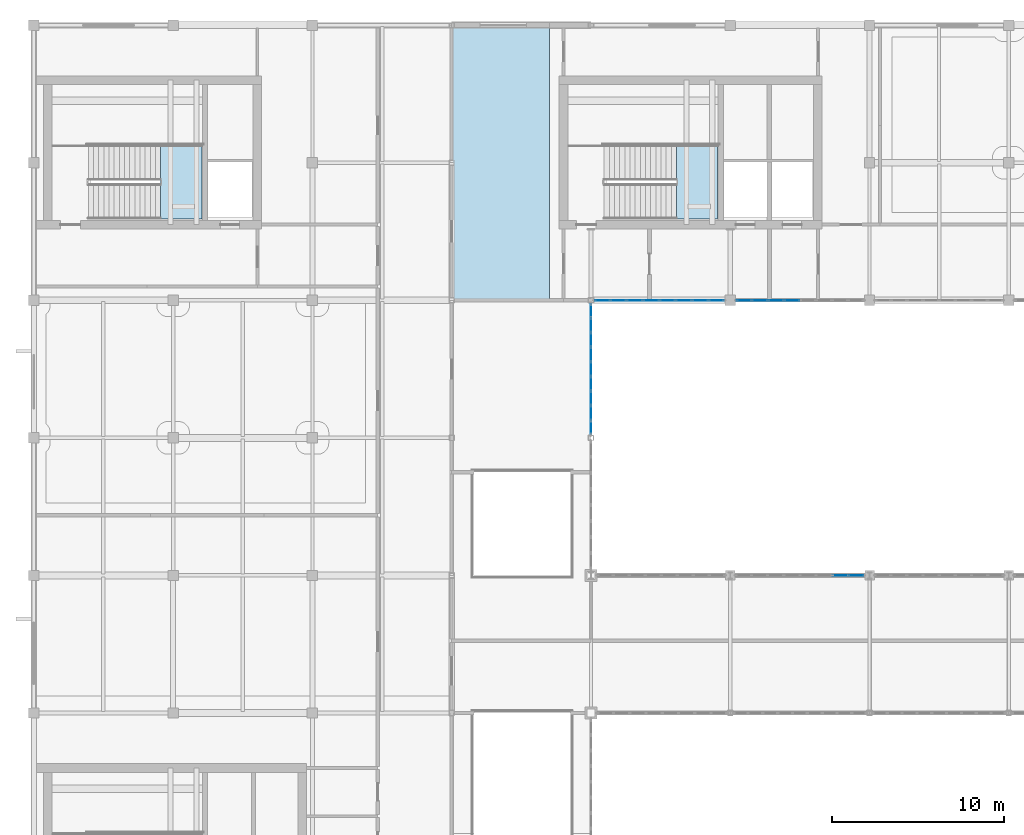
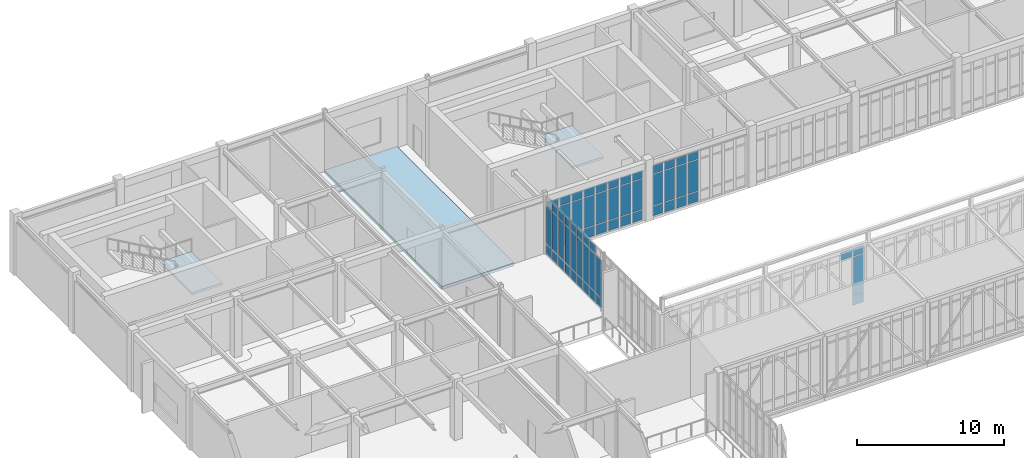
# One storey, part 74 of 107: 65 plates, 3 slabs, 6 elements without a shape of their own.
"""IFC4 building model written with IfcOpenShell, lengths in metres."""

from ifc_helpers import new_model, si_unit, direction, frame, origin, origin_2d, place, context, subcontext, project, spatial, polyline, rectangle, outline, extrude, material, layer, layer_set, type_object, element, aggregate, save


model = new_model("IFC4")

# Units and contexts
model_context = context("Model", 3, precision=1e-05, world=origin(), true_north=direction((0.0, 1.0)))
body_context = subcontext(model_context, "Body", "Model", "MODEL_VIEW")
ifc_project = project(units=[si_unit("LENGTHUNIT", "METRE"), si_unit("AREAUNIT", "SQUARE_METRE"), si_unit("VOLUMEUNIT", "CUBIC_METRE"), si_unit("PLANEANGLEUNIT", "RADIAN"), si_unit("MASSUNIT", "GRAM", prefix="KILO")], contexts=[model_context])

# Site, building, storey
site_placement = place(None, origin())
site = spatial("IfcSite", under=ifc_project, at=site_placement, CompositionType="ELEMENT")
building_placement = place(site_placement, origin())
building = spatial("IfcBuilding", under=site, at=building_placement, Name="Tarnveldt Square Police Headquarters", CompositionType="ELEMENT")
storey_placement = place(building_placement, frame((0.0, 0.0, 14.699951171875)))
storey = spatial("IfcBuildingStorey", under=building, at=storey_placement, Name="L03", CompositionType="ELEMENT", Elevation=14.699951171875)

# Curtain wall, plates
ifc_material_1 = material(Name="Triple-glazed low-e laminated vision glass", Category="glass")
curtain_wall_type_1 = type_object("IfcCurtainWallType", Name="CW-WG-767x484", PredefinedType="USERDEFINED", material=ifc_material_1)
curtain_wall_1_placement = place(storey_placement, origin())
curtain_wall_1 = element("IfcCurtainWall", 1, at=curtain_wall_1_placement, inside=storey, type_object=curtain_wall_type_1, Name="L03 Curtain Wall CW-L03-082", ObjectType="GLAZED CURTAIN WALL", PredefinedType="USERDEFINED")
ifc_layer_1 = layer(ifc_material_1, 0.028076171875)
ifc_layer_set_1 = layer_set([ifc_layer_1], Name="Triple-glazed low-e laminated vision glass")
plate_type = type_object("IfcPlateType", Name="CWP-VIS-28", PredefinedType="CURTAIN_PANEL", material=ifc_layer_set_1)
plate_1_placement = place(storey_placement, frame((48.60009765625, 88.612060546875, 0.074951171875), z_axis=(0.0, 0.0, 1.0), x_axis=(0.0, 1.0, 0.0)))
plate_1 = element("IfcPlate", 2, at=plate_1_placement, type_object=plate_type, Name="CW-WG40 panel 1.1", PredefinedType="CURTAIN_PANEL", context=body_context, shape_type="SweptSolid", body=[
    extrude(rectangle(XDim=0.7392578125, YDim=0.028076171875, at=origin_2d()), origin(), (0.0, 0.0, 1.0), 0.78759765625),
])
plate_2_placement = place(storey_placement, frame((48.60009765625, 88.612060546875, 0.9375), z_axis=(0.0, 0.0, 1.0), x_axis=(0.0, 1.0, 0.0)))
plate_2 = element("IfcPlate", 3, at=plate_2_placement, type_object=plate_type, Name="CW-WG40 panel 1.2", PredefinedType="CURTAIN_PANEL", context=body_context, shape_type="SweptSolid", body=[
    extrude(rectangle(XDim=0.7392578125, YDim=0.028076171875, at=origin_2d()), origin(), (0.0, 0.0, 1.0), 3.114990234375),
])
plate_3_placement = place(storey_placement, frame((48.60009765625, 89.44482421875, 0.074951171875), z_axis=(0.0, 0.0, 1.0), x_axis=(0.0, 1.0, 0.0)))
plate_3 = element("IfcPlate", 4, at=plate_3_placement, type_object=plate_type, Name="CW-WG40 panel 2.1", PredefinedType="CURTAIN_PANEL", context=body_context, shape_type="SweptSolid", body=[
    extrude(rectangle(XDim=0.776611328125, YDim=0.028076171875, at=origin_2d()), origin(), (0.0, 0.0, 1.0), 0.78759765625),
])
plate_4_placement = place(storey_placement, frame((48.60009765625, 89.44482421875, 0.9375), z_axis=(0.0, 0.0, 1.0), x_axis=(0.0, 1.0, 0.0)))
plate_4 = element("IfcPlate", 5, at=plate_4_placement, type_object=plate_type, Name="CW-WG40 panel 2.2", PredefinedType="CURTAIN_PANEL", context=body_context, shape_type="SweptSolid", body=[
    extrude(rectangle(XDim=0.776611328125, YDim=0.028076171875, at=origin_2d()), origin(), (0.0, 0.0, 1.0), 3.114990234375),
])
plate_5_placement = place(storey_placement, frame((48.60009765625, 89.44482421875, 4.12744140625), z_axis=(0.0, 0.0, 1.0), x_axis=(0.0, 1.0, 0.0)))
plate_5 = element("IfcPlate", 6, at=plate_5_placement, type_object=plate_type, Name="CW-WG40 panel 2.3", PredefinedType="CURTAIN_PANEL", context=body_context, shape_type="SweptSolid", body=[
    extrude(rectangle(XDim=0.776611328125, YDim=0.028076171875, at=origin_2d()), origin(), (0.0, 0.0, 1.0), 0.637451171875),
])
plate_6_placement = place(storey_placement, frame((48.60009765625, 90.296630859375, 0.074951171875), z_axis=(0.0, 0.0, 1.0), x_axis=(0.0, 1.0, 0.0)))
plate_6 = element("IfcPlate", 7, at=plate_6_placement, type_object=plate_type, Name="CW-WG40 panel 3.1", PredefinedType="CURTAIN_PANEL", context=body_context, shape_type="SweptSolid", body=[
    extrude(rectangle(XDim=0.776611328125, YDim=0.028076171875, at=origin_2d()), origin(), (0.0, 0.0, 1.0), 0.78759765625),
])
plate_7_placement = place(storey_placement, frame((48.60009765625, 90.296630859375, 0.9375), z_axis=(0.0, 0.0, 1.0), x_axis=(0.0, 1.0, 0.0)))
plate_7 = element("IfcPlate", 8, at=plate_7_placement, type_object=plate_type, Name="CW-WG40 panel 3.2", PredefinedType="CURTAIN_PANEL", context=body_context, shape_type="SweptSolid", body=[
    extrude(rectangle(XDim=0.776611328125, YDim=0.028076171875, at=origin_2d()), origin(), (0.0, 0.0, 1.0), 3.114990234375),
])
plate_8_placement = place(storey_placement, frame((48.60009765625, 90.296630859375, 4.12744140625), z_axis=(0.0, 0.0, 1.0), x_axis=(0.0, 1.0, 0.0)))
plate_8 = element("IfcPlate", 9, at=plate_8_placement, type_object=plate_type, Name="CW-WG40 panel 3.3", PredefinedType="CURTAIN_PANEL", context=body_context, shape_type="SweptSolid", body=[
    extrude(rectangle(XDim=0.776611328125, YDim=0.028076171875, at=origin_2d()), origin(), (0.0, 0.0, 1.0), 0.637451171875),
])
plate_9_placement = place(storey_placement, frame((48.60009765625, 91.148193359375, 0.074951171875), z_axis=(0.0, 0.0, 1.0), x_axis=(0.0, 1.0, 0.0)))
plate_9 = element("IfcPlate", 10, at=plate_9_placement, type_object=plate_type, Name="CW-WG40 panel 4.1", PredefinedType="CURTAIN_PANEL", context=body_context, shape_type="SweptSolid", body=[
    extrude(rectangle(XDim=0.776611328125, YDim=0.028076171875, at=origin_2d()), origin(), (0.0, 0.0, 1.0), 0.78759765625),
])
plate_10_placement = place(storey_placement, frame((48.60009765625, 91.148193359375, 0.9375), z_axis=(0.0, 0.0, 1.0), x_axis=(0.0, 1.0, 0.0)))
plate_10 = element("IfcPlate", 11, at=plate_10_placement, type_object=plate_type, Name="CW-WG40 panel 4.2", PredefinedType="CURTAIN_PANEL", context=body_context, shape_type="SweptSolid", body=[
    extrude(rectangle(XDim=0.776611328125, YDim=0.028076171875, at=origin_2d()), origin(), (0.0, 0.0, 1.0), 3.114990234375),
])
plate_11_placement = place(storey_placement, frame((48.60009765625, 91.148193359375, 4.12744140625), z_axis=(0.0, 0.0, 1.0), x_axis=(0.0, 1.0, 0.0)))
plate_11 = element("IfcPlate", 12, at=plate_11_placement, type_object=plate_type, Name="CW-WG40 panel 4.3", PredefinedType="CURTAIN_PANEL", context=body_context, shape_type="SweptSolid", body=[
    extrude(rectangle(XDim=0.776611328125, YDim=0.028076171875, at=origin_2d()), origin(), (0.0, 0.0, 1.0), 0.637451171875),
])
plate_12_placement = place(storey_placement, frame((48.60009765625, 92.0, 0.074951171875), z_axis=(0.0, 0.0, 1.0), x_axis=(0.0, 1.0, 0.0)))
plate_12 = element("IfcPlate", 13, at=plate_12_placement, type_object=plate_type, Name="CW-WG40 panel 5.1", PredefinedType="CURTAIN_PANEL", context=body_context, shape_type="SweptSolid", body=[
    extrude(rectangle(XDim=0.776611328125, YDim=0.028076171875, at=origin_2d()), origin(), (0.0, 0.0, 1.0), 0.78759765625),
])
plate_13_placement = place(storey_placement, frame((48.60009765625, 92.0, 0.9375), z_axis=(0.0, 0.0, 1.0), x_axis=(0.0, 1.0, 0.0)))
plate_13 = element("IfcPlate", 14, at=plate_13_placement, type_object=plate_type, Name="CW-WG40 panel 5.2", PredefinedType="CURTAIN_PANEL", context=body_context, shape_type="SweptSolid", body=[
    extrude(rectangle(XDim=0.776611328125, YDim=0.028076171875, at=origin_2d()), origin(), (0.0, 0.0, 1.0), 3.114990234375),
])
plate_14_placement = place(storey_placement, frame((48.60009765625, 92.0, 4.12744140625), z_axis=(0.0, 0.0, 1.0), x_axis=(0.0, 1.0, 0.0)))
plate_14 = element("IfcPlate", 15, at=plate_14_placement, type_object=plate_type, Name="CW-WG40 panel 5.3", PredefinedType="CURTAIN_PANEL", context=body_context, shape_type="SweptSolid", body=[
    extrude(rectangle(XDim=0.776611328125, YDim=0.028076171875, at=origin_2d()), origin(), (0.0, 0.0, 1.0), 0.637451171875),
])
plate_15_placement = place(storey_placement, frame((48.60009765625, 92.851806640625, 0.074951171875), z_axis=(0.0, 0.0, 1.0), x_axis=(0.0, 1.0, 0.0)))
plate_15 = element("IfcPlate", 16, at=plate_15_placement, type_object=plate_type, Name="CW-WG40 panel 6.1", PredefinedType="CURTAIN_PANEL", context=body_context, shape_type="SweptSolid", body=[
    extrude(rectangle(XDim=0.776611328125, YDim=0.028076171875, at=origin_2d()), origin(), (0.0, 0.0, 1.0), 0.78759765625),
])
plate_16_placement = place(storey_placement, frame((48.60009765625, 92.851806640625, 0.9375), z_axis=(0.0, 0.0, 1.0), x_axis=(0.0, 1.0, 0.0)))
plate_16 = element("IfcPlate", 17, at=plate_16_placement, type_object=plate_type, Name="CW-WG40 panel 6.2", PredefinedType="CURTAIN_PANEL", context=body_context, shape_type="SweptSolid", body=[
    extrude(rectangle(XDim=0.776611328125, YDim=0.028076171875, at=origin_2d()), origin(), (0.0, 0.0, 1.0), 3.114990234375),
])
plate_17_placement = place(storey_placement, frame((48.60009765625, 92.851806640625, 4.12744140625), z_axis=(0.0, 0.0, 1.0), x_axis=(0.0, 1.0, 0.0)))
plate_17 = element("IfcPlate", 18, at=plate_17_placement, type_object=plate_type, Name="CW-WG40 panel 6.3", PredefinedType="CURTAIN_PANEL", context=body_context, shape_type="SweptSolid", body=[
    extrude(rectangle(XDim=0.776611328125, YDim=0.028076171875, at=origin_2d()), origin(), (0.0, 0.0, 1.0), 0.637451171875),
])
plate_18_placement = place(storey_placement, frame((48.60009765625, 93.703369140625, 0.074951171875), z_axis=(0.0, 0.0, 1.0), x_axis=(0.0, 1.0, 0.0)))
plate_18 = element("IfcPlate", 19, at=plate_18_placement, type_object=plate_type, Name="CW-WG40 panel 7.1", PredefinedType="CURTAIN_PANEL", context=body_context, shape_type="SweptSolid", body=[
    extrude(rectangle(XDim=0.776611328125, YDim=0.028076171875, at=origin_2d()), origin(), (0.0, 0.0, 1.0), 0.78759765625),
])
plate_19_placement = place(storey_placement, frame((48.60009765625, 93.703369140625, 0.9375), z_axis=(0.0, 0.0, 1.0), x_axis=(0.0, 1.0, 0.0)))
plate_19 = element("IfcPlate", 20, at=plate_19_placement, type_object=plate_type, Name="CW-WG40 panel 7.2", PredefinedType="CURTAIN_PANEL", context=body_context, shape_type="SweptSolid", body=[
    extrude(rectangle(XDim=0.776611328125, YDim=0.028076171875, at=origin_2d()), origin(), (0.0, 0.0, 1.0), 3.114990234375),
])
plate_20_placement = place(storey_placement, frame((48.60009765625, 93.703369140625, 4.12744140625), z_axis=(0.0, 0.0, 1.0), x_axis=(0.0, 1.0, 0.0)))
plate_20 = element("IfcPlate", 21, at=plate_20_placement, type_object=plate_type, Name="CW-WG40 panel 7.3", PredefinedType="CURTAIN_PANEL", context=body_context, shape_type="SweptSolid", body=[
    extrude(rectangle(XDim=0.776611328125, YDim=0.028076171875, at=origin_2d()), origin(), (0.0, 0.0, 1.0), 0.637451171875),
])
plate_21_placement = place(storey_placement, frame((48.60009765625, 94.55517578125, 0.074951171875), z_axis=(0.0, 0.0, 1.0), x_axis=(0.0, 1.0, 0.0)))
plate_21 = element("IfcPlate", 22, at=plate_21_placement, type_object=plate_type, Name="CW-WG40 panel 8.1", PredefinedType="CURTAIN_PANEL", context=body_context, shape_type="SweptSolid", body=[
    extrude(rectangle(XDim=0.776611328125, YDim=0.028076171875, at=origin_2d()), origin(), (0.0, 0.0, 1.0), 0.78759765625),
])
plate_22_placement = place(storey_placement, frame((48.60009765625, 94.55517578125, 0.9375), z_axis=(0.0, 0.0, 1.0), x_axis=(0.0, 1.0, 0.0)))
plate_22 = element("IfcPlate", 23, at=plate_22_placement, type_object=plate_type, Name="CW-WG40 panel 8.2", PredefinedType="CURTAIN_PANEL", context=body_context, shape_type="SweptSolid", body=[
    extrude(rectangle(XDim=0.776611328125, YDim=0.028076171875, at=origin_2d()), origin(), (0.0, 0.0, 1.0), 3.114990234375),
])
plate_23_placement = place(storey_placement, frame((48.60009765625, 94.55517578125, 4.12744140625), z_axis=(0.0, 0.0, 1.0), x_axis=(0.0, 1.0, 0.0)))
plate_23 = element("IfcPlate", 24, at=plate_23_placement, type_object=plate_type, Name="CW-WG40 panel 8.3", PredefinedType="CURTAIN_PANEL", context=body_context, shape_type="SweptSolid", body=[
    extrude(rectangle(XDim=0.776611328125, YDim=0.028076171875, at=origin_2d()), origin(), (0.0, 0.0, 1.0), 0.637451171875),
])
plate_24_placement = place(storey_placement, frame((48.60009765625, 95.387939453125, 0.074951171875), z_axis=(0.0, 0.0, 1.0), x_axis=(0.0, 1.0, 0.0)))
plate_24 = element("IfcPlate", 25, at=plate_24_placement, type_object=plate_type, Name="CW-WG40 panel 9.1", PredefinedType="CURTAIN_PANEL", context=body_context, shape_type="SweptSolid", body=[
    extrude(rectangle(XDim=0.7392578125, YDim=0.028076171875, at=origin_2d()), origin(), (0.0, 0.0, 1.0), 0.78759765625),
])
plate_25_placement = place(storey_placement, frame((48.60009765625, 95.387939453125, 0.9375), z_axis=(0.0, 0.0, 1.0), x_axis=(0.0, 1.0, 0.0)))
plate_25 = element("IfcPlate", 26, at=plate_25_placement, type_object=plate_type, Name="CW-WG40 panel 9.2", PredefinedType="CURTAIN_PANEL", context=body_context, shape_type="SweptSolid", body=[
    extrude(rectangle(XDim=0.7392578125, YDim=0.028076171875, at=origin_2d()), origin(), (0.0, 0.0, 1.0), 3.114990234375),
])
aggregate(curtain_wall_1, [plate_1, plate_2, plate_3, plate_4, plate_5, plate_6, plate_7, plate_8, plate_9, plate_10, plate_11, plate_12, plate_13, plate_14, plate_15, plate_16, plate_17, plate_18, plate_19, plate_20, plate_21, plate_22, plate_23, plate_24, plate_25])

curtain_wall_type_2 = type_object("IfcCurtainWallType", Name="CW-LB-762x423", PredefinedType="USERDEFINED", material=ifc_material_1)
curtain_wall_2_placement = place(storey_placement, origin())
curtain_wall_2 = element("IfcCurtainWall", 27, at=curtain_wall_2_placement, inside=storey, type_object=curtain_wall_type_2, Name="L03 Curtain Wall CW-L03-119", ObjectType="GLAZED CURTAIN WALL", PredefinedType="USERDEFINED")
plate_26_placement = place(storey_placement, frame((49.26220703125, 96.0, 0.06494140625), z_axis=(0.0, 0.0, 1.0), x_axis=(1.0, 0.0, 0.0)))
plate_26 = element("IfcPlate", 28, at=plate_26_placement, type_object=plate_type, Name="CW-LB70 panel 1.1", PredefinedType="CURTAIN_PANEL", context=body_context, shape_type="SweptSolid", body=[
    extrude(rectangle(XDim=0.839599609375, YDim=0.028076171875, at=origin_2d()), origin(), (0.0, 0.0, 1.0), 0.802490234375),
])
plate_27_placement = place(storey_placement, frame((49.26220703125, 96.0, 0.9326171875), z_axis=(0.0, 0.0, 1.0), x_axis=(1.0, 0.0, 0.0)))
plate_27 = element("IfcPlate", 29, at=plate_27_placement, type_object=plate_type, Name="CW-LB70 panel 1.2", PredefinedType="CURTAIN_PANEL", context=body_context, shape_type="SweptSolid", body=[
    extrude(rectangle(XDim=0.839599609375, YDim=0.028076171875, at=origin_2d()), origin(), (0.0, 0.0, 1.0), 2.51708984375),
])
plate_28_placement = place(storey_placement, frame((49.26220703125, 96.0, 3.5146484375), z_axis=(0.0, 0.0, 1.0), x_axis=(1.0, 0.0, 0.0)))
plate_28 = element("IfcPlate", 30, at=plate_28_placement, type_object=plate_type, Name="CW-LB70 panel 1.3", PredefinedType="CURTAIN_PANEL", context=body_context, shape_type="SweptSolid", body=[
    extrude(rectangle(XDim=0.839599609375, YDim=0.028076171875, at=origin_2d()), origin(), (0.0, 0.0, 1.0), 0.652587890625),
])
plate_29_placement = place(storey_placement, frame((50.19580078125, 96.0, 0.06494140625), z_axis=(0.0, 0.0, 1.0), x_axis=(1.0, 0.0, 0.0)))
plate_29 = element("IfcPlate", 31, at=plate_29_placement, type_object=plate_type, Name="CW-LB70 panel 2.1", PredefinedType="CURTAIN_PANEL", context=body_context, shape_type="SweptSolid", body=[
    extrude(rectangle(XDim=0.877197265625, YDim=0.028076171875, at=origin_2d()), origin(), (0.0, 0.0, 1.0), 0.802490234375),
])
plate_30_placement = place(storey_placement, frame((50.19580078125, 96.0, 0.9326171875), z_axis=(0.0, 0.0, 1.0), x_axis=(1.0, 0.0, 0.0)))
plate_30 = element("IfcPlate", 32, at=plate_30_placement, type_object=plate_type, Name="CW-LB70 panel 2.2", PredefinedType="CURTAIN_PANEL", context=body_context, shape_type="SweptSolid", body=[
    extrude(rectangle(XDim=0.877197265625, YDim=0.028076171875, at=origin_2d()), origin(), (0.0, 0.0, 1.0), 2.51708984375),
])
plate_31_placement = place(storey_placement, frame((50.19580078125, 96.0, 3.5146484375), z_axis=(0.0, 0.0, 1.0), x_axis=(1.0, 0.0, 0.0)))
plate_31 = element("IfcPlate", 33, at=plate_31_placement, type_object=plate_type, Name="CW-LB70 panel 2.3", PredefinedType="CURTAIN_PANEL", context=body_context, shape_type="SweptSolid", body=[
    extrude(rectangle(XDim=0.877197265625, YDim=0.028076171875, at=origin_2d()), origin(), (0.0, 0.0, 1.0), 0.652587890625),
])
plate_32_placement = place(storey_placement, frame((51.14794921875, 96.0, 0.06494140625), z_axis=(0.0, 0.0, 1.0), x_axis=(1.0, 0.0, 0.0)))
plate_32 = element("IfcPlate", 34, at=plate_32_placement, type_object=plate_type, Name="CW-LB70 panel 3.1", PredefinedType="CURTAIN_PANEL", context=body_context, shape_type="SweptSolid", body=[
    extrude(rectangle(XDim=0.877197265625, YDim=0.028076171875, at=origin_2d()), origin(), (0.0, 0.0, 1.0), 0.802490234375),
])
plate_33_placement = place(storey_placement, frame((51.14794921875, 96.0, 0.9326171875), z_axis=(0.0, 0.0, 1.0), x_axis=(1.0, 0.0, 0.0)))
plate_33 = element("IfcPlate", 35, at=plate_33_placement, type_object=plate_type, Name="CW-LB70 panel 3.2", PredefinedType="CURTAIN_PANEL", context=body_context, shape_type="SweptSolid", body=[
    extrude(rectangle(XDim=0.877197265625, YDim=0.028076171875, at=origin_2d()), origin(), (0.0, 0.0, 1.0), 2.51708984375),
])
plate_34_placement = place(storey_placement, frame((51.14794921875, 96.0, 3.5146484375), z_axis=(0.0, 0.0, 1.0), x_axis=(1.0, 0.0, 0.0)))
plate_34 = element("IfcPlate", 36, at=plate_34_placement, type_object=plate_type, Name="CW-LB70 panel 3.3", PredefinedType="CURTAIN_PANEL", context=body_context, shape_type="SweptSolid", body=[
    extrude(rectangle(XDim=0.877197265625, YDim=0.028076171875, at=origin_2d()), origin(), (0.0, 0.0, 1.0), 0.652587890625),
])
plate_35_placement = place(storey_placement, frame((52.10009765625, 96.0, 0.06494140625), z_axis=(0.0, 0.0, 1.0), x_axis=(1.0, 0.0, 0.0)))
plate_35 = element("IfcPlate", 37, at=plate_35_placement, type_object=plate_type, Name="CW-LB70 panel 4.1", PredefinedType="CURTAIN_PANEL", context=body_context, shape_type="SweptSolid", body=[
    extrude(rectangle(XDim=0.877197265625, YDim=0.028076171875, at=origin_2d()), origin(), (0.0, 0.0, 1.0), 0.802490234375),
])
plate_36_placement = place(storey_placement, frame((52.10009765625, 96.0, 0.9326171875), z_axis=(0.0, 0.0, 1.0), x_axis=(1.0, 0.0, 0.0)))
plate_36 = element("IfcPlate", 38, at=plate_36_placement, type_object=plate_type, Name="CW-LB70 panel 4.2", PredefinedType="CURTAIN_PANEL", context=body_context, shape_type="SweptSolid", body=[
    extrude(rectangle(XDim=0.877197265625, YDim=0.028076171875, at=origin_2d()), origin(), (0.0, 0.0, 1.0), 2.51708984375),
])
plate_37_placement = place(storey_placement, frame((52.10009765625, 96.0, 3.5146484375), z_axis=(0.0, 0.0, 1.0), x_axis=(1.0, 0.0, 0.0)))
plate_37 = element("IfcPlate", 39, at=plate_37_placement, type_object=plate_type, Name="CW-LB70 panel 4.3", PredefinedType="CURTAIN_PANEL", context=body_context, shape_type="SweptSolid", body=[
    extrude(rectangle(XDim=0.877197265625, YDim=0.028076171875, at=origin_2d()), origin(), (0.0, 0.0, 1.0), 0.652587890625),
])
plate_38_placement = place(storey_placement, frame((53.05224609375, 96.0, 0.06494140625), z_axis=(0.0, 0.0, 1.0), x_axis=(1.0, 0.0, 0.0)))
plate_38 = element("IfcPlate", 40, at=plate_38_placement, type_object=plate_type, Name="CW-LB70 panel 5.1", PredefinedType="CURTAIN_PANEL", context=body_context, shape_type="SweptSolid", body=[
    extrude(rectangle(XDim=0.877197265625, YDim=0.028076171875, at=origin_2d()), origin(), (0.0, 0.0, 1.0), 0.802490234375),
])
plate_39_placement = place(storey_placement, frame((53.05224609375, 96.0, 0.9326171875), z_axis=(0.0, 0.0, 1.0), x_axis=(1.0, 0.0, 0.0)))
plate_39 = element("IfcPlate", 41, at=plate_39_placement, type_object=plate_type, Name="CW-LB70 panel 5.2", PredefinedType="CURTAIN_PANEL", context=body_context, shape_type="SweptSolid", body=[
    extrude(rectangle(XDim=0.877197265625, YDim=0.028076171875, at=origin_2d()), origin(), (0.0, 0.0, 1.0), 2.51708984375),
])
plate_40_placement = place(storey_placement, frame((53.05224609375, 96.0, 3.5146484375), z_axis=(0.0, 0.0, 1.0), x_axis=(1.0, 0.0, 0.0)))
plate_40 = element("IfcPlate", 42, at=plate_40_placement, type_object=plate_type, Name="CW-LB70 panel 5.3", PredefinedType="CURTAIN_PANEL", context=body_context, shape_type="SweptSolid", body=[
    extrude(rectangle(XDim=0.877197265625, YDim=0.028076171875, at=origin_2d()), origin(), (0.0, 0.0, 1.0), 0.652587890625),
])
plate_41_placement = place(storey_placement, frame((54.00439453125, 96.0, 0.06494140625), z_axis=(0.0, 0.0, 1.0), x_axis=(1.0, 0.0, 0.0)))
plate_41 = element("IfcPlate", 43, at=plate_41_placement, type_object=plate_type, Name="CW-LB70 panel 6.1", PredefinedType="CURTAIN_PANEL", context=body_context, shape_type="SweptSolid", body=[
    extrude(rectangle(XDim=0.877197265625, YDim=0.028076171875, at=origin_2d()), origin(), (0.0, 0.0, 1.0), 0.802490234375),
])
plate_42_placement = place(storey_placement, frame((54.00439453125, 96.0, 0.9326171875), z_axis=(0.0, 0.0, 1.0), x_axis=(1.0, 0.0, 0.0)))
plate_42 = element("IfcPlate", 44, at=plate_42_placement, type_object=plate_type, Name="CW-LB70 panel 6.2", PredefinedType="CURTAIN_PANEL", context=body_context, shape_type="SweptSolid", body=[
    extrude(rectangle(XDim=0.877197265625, YDim=0.028076171875, at=origin_2d()), origin(), (0.0, 0.0, 1.0), 2.51708984375),
])
plate_43_placement = place(storey_placement, frame((54.00439453125, 96.0, 3.5146484375), z_axis=(0.0, 0.0, 1.0), x_axis=(1.0, 0.0, 0.0)))
plate_43 = element("IfcPlate", 45, at=plate_43_placement, type_object=plate_type, Name="CW-LB70 panel 6.3", PredefinedType="CURTAIN_PANEL", context=body_context, shape_type="SweptSolid", body=[
    extrude(rectangle(XDim=0.877197265625, YDim=0.028076171875, at=origin_2d()), origin(), (0.0, 0.0, 1.0), 0.652587890625),
])
plate_44_placement = place(storey_placement, frame((54.956787109375, 96.0, 0.06494140625), z_axis=(0.0, 0.0, 1.0), x_axis=(1.0, 0.0, 0.0)))
plate_44 = element("IfcPlate", 46, at=plate_44_placement, type_object=plate_type, Name="CW-LB70 panel 7.1", PredefinedType="CURTAIN_PANEL", context=body_context, shape_type="SweptSolid", body=[
    extrude(rectangle(XDim=0.877197265625, YDim=0.028076171875, at=origin_2d()), origin(), (0.0, 0.0, 1.0), 0.802490234375),
])
plate_45_placement = place(storey_placement, frame((54.956787109375, 96.0, 0.9326171875), z_axis=(0.0, 0.0, 1.0), x_axis=(1.0, 0.0, 0.0)))
plate_45 = element("IfcPlate", 47, at=plate_45_placement, type_object=plate_type, Name="CW-LB70 panel 7.2", PredefinedType="CURTAIN_PANEL", context=body_context, shape_type="SweptSolid", body=[
    extrude(rectangle(XDim=0.877197265625, YDim=0.028076171875, at=origin_2d()), origin(), (0.0, 0.0, 1.0), 2.51708984375),
])
plate_46_placement = place(storey_placement, frame((54.956787109375, 96.0, 3.5146484375), z_axis=(0.0, 0.0, 1.0), x_axis=(1.0, 0.0, 0.0)))
plate_46 = element("IfcPlate", 48, at=plate_46_placement, type_object=plate_type, Name="CW-LB70 panel 7.3", PredefinedType="CURTAIN_PANEL", context=body_context, shape_type="SweptSolid", body=[
    extrude(rectangle(XDim=0.877197265625, YDim=0.028076171875, at=origin_2d()), origin(), (0.0, 0.0, 1.0), 0.652587890625),
])
plate_47_placement = place(storey_placement, frame((55.89013671875, 96.0, 0.06494140625), z_axis=(0.0, 0.0, 1.0), x_axis=(1.0, 0.0, 0.0)))
plate_47 = element("IfcPlate", 49, at=plate_47_placement, type_object=plate_type, Name="CW-LB70 panel 8.1", PredefinedType="CURTAIN_PANEL", context=body_context, shape_type="SweptSolid", body=[
    extrude(rectangle(XDim=0.839599609375, YDim=0.028076171875, at=origin_2d()), origin(), (0.0, 0.0, 1.0), 0.802490234375),
])
plate_48_placement = place(storey_placement, frame((55.89013671875, 96.0, 0.9326171875), z_axis=(0.0, 0.0, 1.0), x_axis=(1.0, 0.0, 0.0)))
plate_48 = element("IfcPlate", 50, at=plate_48_placement, type_object=plate_type, Name="CW-LB70 panel 8.2", PredefinedType="CURTAIN_PANEL", context=body_context, shape_type="SweptSolid", body=[
    extrude(rectangle(XDim=0.839599609375, YDim=0.028076171875, at=origin_2d()), origin(), (0.0, 0.0, 1.0), 2.51708984375),
])
plate_49_placement = place(storey_placement, frame((55.89013671875, 96.0, 3.5146484375), z_axis=(0.0, 0.0, 1.0), x_axis=(1.0, 0.0, 0.0)))
plate_49 = element("IfcPlate", 51, at=plate_49_placement, type_object=plate_type, Name="CW-LB70 panel 8.3", PredefinedType="CURTAIN_PANEL", context=body_context, shape_type="SweptSolid", body=[
    extrude(rectangle(XDim=0.839599609375, YDim=0.028076171875, at=origin_2d()), origin(), (0.0, 0.0, 1.0), 0.652587890625),
])
aggregate(curtain_wall_2, [plate_26, plate_27, plate_28, plate_29, plate_30, plate_31, plate_32, plate_33, plate_34, plate_35, plate_36, plate_37, plate_38, plate_39, plate_40, plate_41, plate_42, plate_43, plate_44, plate_45, plate_46, plate_47, plate_48, plate_49])

curtain_wall_type_3 = type_object("IfcCurtainWallType", Name="CW-LB-747x430", PredefinedType="USERDEFINED", material=ifc_material_1)
curtain_wall_3_placement = place(storey_placement, origin())
curtain_wall_3 = element("IfcCurtainWall", 52, at=curtain_wall_3_placement, inside=storey, type_object=curtain_wall_type_3, Name="L03 Curtain Wall CW-L03-120", ObjectType="GLAZED CURTAIN WALL", PredefinedType="USERDEFINED")
plate_50_placement = place(storey_placement, frame((57.500732421875, 96.0, 0.06494140625), z_axis=(0.0, 0.0, 1.0), x_axis=(1.0, 0.0, 0.0)))
plate_50 = element("IfcPlate", 53, at=plate_50_placement, type_object=plate_type, Name="CW-LB71 panel 1.1", PredefinedType="CURTAIN_PANEL", context=body_context, shape_type="SweptSolid", body=[
    extrude(rectangle(XDim=0.8212890625, YDim=0.028076171875, at=origin_2d()), origin(), (0.0, 0.0, 1.0), 0.802490234375),
])
plate_51_placement = place(storey_placement, frame((57.500732421875, 96.0, 0.9326171875), z_axis=(0.0, 0.0, 1.0), x_axis=(1.0, 0.0, 0.0)))
plate_51 = element("IfcPlate", 54, at=plate_51_placement, type_object=plate_type, Name="CW-LB71 panel 1.2", PredefinedType="CURTAIN_PANEL", context=body_context, shape_type="SweptSolid", body=[
    extrude(rectangle(XDim=0.8212890625, YDim=0.028076171875, at=origin_2d()), origin(), (0.0, 0.0, 1.0), 2.583984375),
])
plate_52_placement = place(storey_placement, frame((57.500732421875, 96.0, 3.58154296875), z_axis=(0.0, 0.0, 1.0), x_axis=(1.0, 0.0, 0.0)))
plate_52 = element("IfcPlate", 55, at=plate_52_placement, type_object=plate_type, Name="CW-LB71 panel 1.3", PredefinedType="CURTAIN_PANEL", context=body_context, shape_type="SweptSolid", body=[
    extrude(rectangle(XDim=0.8212890625, YDim=0.028076171875, at=origin_2d()), origin(), (0.0, 0.0, 1.0), 0.652587890625),
])
plate_53_placement = place(storey_placement, frame((58.41552734375, 96.0, 0.06494140625), z_axis=(0.0, 0.0, 1.0), x_axis=(1.0, 0.0, 0.0)))
plate_53 = element("IfcPlate", 56, at=plate_53_placement, type_object=plate_type, Name="CW-LB71 panel 2.1", PredefinedType="CURTAIN_PANEL", context=body_context, shape_type="SweptSolid", body=[
    extrude(rectangle(XDim=0.858642578125, YDim=0.028076171875, at=origin_2d()), origin(), (0.0, 0.0, 1.0), 0.802490234375),
])
plate_54_placement = place(storey_placement, frame((58.41552734375, 96.0, 0.9326171875), z_axis=(0.0, 0.0, 1.0), x_axis=(1.0, 0.0, 0.0)))
plate_54 = element("IfcPlate", 57, at=plate_54_placement, type_object=plate_type, Name="CW-LB71 panel 2.2", PredefinedType="CURTAIN_PANEL", context=body_context, shape_type="SweptSolid", body=[
    extrude(rectangle(XDim=0.858642578125, YDim=0.028076171875, at=origin_2d()), origin(), (0.0, 0.0, 1.0), 2.583984375),
])
plate_55_placement = place(storey_placement, frame((58.41552734375, 96.0, 3.58154296875), z_axis=(0.0, 0.0, 1.0), x_axis=(1.0, 0.0, 0.0)))
plate_55 = element("IfcPlate", 58, at=plate_55_placement, type_object=plate_type, Name="CW-LB71 panel 2.3", PredefinedType="CURTAIN_PANEL", context=body_context, shape_type="SweptSolid", body=[
    extrude(rectangle(XDim=0.858642578125, YDim=0.028076171875, at=origin_2d()), origin(), (0.0, 0.0, 1.0), 0.652587890625),
])
plate_56_placement = place(storey_placement, frame((59.349365234375, 96.0, 0.06494140625), z_axis=(0.0, 0.0, 1.0), x_axis=(1.0, 0.0, 0.0)))
plate_56 = element("IfcPlate", 59, at=plate_56_placement, type_object=plate_type, Name="CW-LB71 panel 3.1", PredefinedType="CURTAIN_PANEL", context=body_context, shape_type="SweptSolid", body=[
    extrude(rectangle(XDim=0.858642578125, YDim=0.028076171875, at=origin_2d()), origin(), (0.0, 0.0, 1.0), 0.802490234375),
])
plate_57_placement = place(storey_placement, frame((59.349365234375, 96.0, 0.9326171875), z_axis=(0.0, 0.0, 1.0), x_axis=(1.0, 0.0, 0.0)))
plate_57 = element("IfcPlate", 60, at=plate_57_placement, type_object=plate_type, Name="CW-LB71 panel 3.2", PredefinedType="CURTAIN_PANEL", context=body_context, shape_type="SweptSolid", body=[
    extrude(rectangle(XDim=0.858642578125, YDim=0.028076171875, at=origin_2d()), origin(), (0.0, 0.0, 1.0), 2.583984375),
])
plate_58_placement = place(storey_placement, frame((59.349365234375, 96.0, 3.58154296875), z_axis=(0.0, 0.0, 1.0), x_axis=(1.0, 0.0, 0.0)))
plate_58 = element("IfcPlate", 61, at=plate_58_placement, type_object=plate_type, Name="CW-LB71 panel 3.3", PredefinedType="CURTAIN_PANEL", context=body_context, shape_type="SweptSolid", body=[
    extrude(rectangle(XDim=0.858642578125, YDim=0.028076171875, at=origin_2d()), origin(), (0.0, 0.0, 1.0), 0.652587890625),
])
plate_59_placement = place(storey_placement, frame((60.283203125, 96.0, 0.06494140625), z_axis=(0.0, 0.0, 1.0), x_axis=(1.0, 0.0, 0.0)))
plate_59 = element("IfcPlate", 62, at=plate_59_placement, type_object=plate_type, Name="CW-LB71 panel 4.1", PredefinedType="CURTAIN_PANEL", context=body_context, shape_type="SweptSolid", body=[
    extrude(rectangle(XDim=0.858642578125, YDim=0.028076171875, at=origin_2d()), origin(), (0.0, 0.0, 1.0), 0.802490234375),
])
plate_60_placement = place(storey_placement, frame((60.283203125, 96.0, 0.9326171875), z_axis=(0.0, 0.0, 1.0), x_axis=(1.0, 0.0, 0.0)))
plate_60 = element("IfcPlate", 63, at=plate_60_placement, type_object=plate_type, Name="CW-LB71 panel 4.2", PredefinedType="CURTAIN_PANEL", context=body_context, shape_type="SweptSolid", body=[
    extrude(rectangle(XDim=0.858642578125, YDim=0.028076171875, at=origin_2d()), origin(), (0.0, 0.0, 1.0), 2.583984375),
])
plate_61_placement = place(storey_placement, frame((60.283203125, 96.0, 3.58154296875), z_axis=(0.0, 0.0, 1.0), x_axis=(1.0, 0.0, 0.0)))
plate_61 = element("IfcPlate", 64, at=plate_61_placement, type_object=plate_type, Name="CW-LB71 panel 4.3", PredefinedType="CURTAIN_PANEL", context=body_context, shape_type="SweptSolid", body=[
    extrude(rectangle(XDim=0.858642578125, YDim=0.028076171875, at=origin_2d()), origin(), (0.0, 0.0, 1.0), 0.652587890625),
])
aggregate(curtain_wall_3, [plate_50, plate_51, plate_52, plate_53, plate_54, plate_55, plate_56, plate_57, plate_58, plate_59, plate_60, plate_61])

curtain_wall_type_4 = type_object("IfcCurtainWallType", Name="CW-SB-752x484", PredefinedType="USERDEFINED", material=ifc_material_1)
curtain_wall_4_placement = place(storey_placement, origin())
curtain_wall_4 = element("IfcCurtainWall", 65, at=curtain_wall_4_placement, inside=storey, type_object=curtain_wall_type_4, Name="L03 Curtain Wall CW-L03-160", ObjectType="GLAZED CURTAIN WALL", PredefinedType="USERDEFINED")
plate_62_placement = place(storey_placement, frame((63.10009765625, 80.0, 4.12255859375), z_axis=(0.0, 0.0, 1.0), x_axis=(1.0, 0.0, 0.0)))
plate_62 = element("IfcPlate", 66, at=plate_62_placement, type_object=plate_type, Name="CW-SB95 panel 7.3", PredefinedType="CURTAIN_PANEL", context=body_context, shape_type="SweptSolid", body=[
    extrude(rectangle(XDim=0.875, YDim=0.028076171875, at=origin_2d()), origin(), (0.0, 0.0, 1.0), 0.652587890625),
])
plate_63_placement = place(storey_placement, frame((64.023681640625, 80.0, 0.06494140625), z_axis=(0.0, 0.0, 1.0), x_axis=(1.0, 0.0, 0.0)))
plate_63 = element("IfcPlate", 67, at=plate_63_placement, type_object=plate_type, Name="CW-SB95 panel 8.1", PredefinedType="CURTAIN_PANEL", context=body_context, shape_type="SweptSolid", body=[
    extrude(rectangle(XDim=0.842529296875, YDim=0.028076171875, at=origin_2d()), origin(), (0.0, 0.0, 1.0), 0.802490234375),
])
plate_64_placement = place(storey_placement, frame((64.023681640625, 80.0, 0.9326171875), z_axis=(0.0, 0.0, 1.0), x_axis=(1.0, 0.0, 0.0)))
plate_64 = element("IfcPlate", 68, at=plate_64_placement, type_object=plate_type, Name="CW-SB95 panel 8.2", PredefinedType="CURTAIN_PANEL", context=body_context, shape_type="SweptSolid", body=[
    extrude(rectangle(XDim=0.842529296875, YDim=0.028076171875, at=origin_2d()), origin(), (0.0, 0.0, 1.0), 3.125),
])
plate_65_placement = place(storey_placement, frame((64.023681640625, 80.0, 4.12255859375), z_axis=(0.0, 0.0, 1.0), x_axis=(1.0, 0.0, 0.0)))
plate_65 = element("IfcPlate", 69, at=plate_65_placement, type_object=plate_type, Name="CW-SB95 panel 8.3", PredefinedType="CURTAIN_PANEL", context=body_context, shape_type="SweptSolid", body=[
    extrude(rectangle(XDim=0.842529296875, YDim=0.028076171875, at=origin_2d()), origin(), (0.0, 0.0, 1.0), 0.652587890625),
])
aggregate(curtain_wall_4, [plate_62, plate_63, plate_64, plate_65])

# Stair, slab
ifc_material_2 = material(Name="Concrete 40 MPa", Category="concrete")
stair_type = type_object("IfcStairType", Name="STR-HT-48A", PredefinedType="HALF_TURN_STAIR", material=ifc_material_2)
stair_1_placement = place(storey_placement, origin())
stair_1 = element("IfcStair", 70, at=stair_1_placement, inside=storey, type_object=stair_type, Name="L03 Core K2 Exit Stair ST2", PredefinedType="HALF_TURN_STAIR")
ifc_layer_2 = layer(ifc_material_2, 0.179931640625)
ifc_layer_set_2 = layer_set([ifc_layer_2], Name="Concrete 40 MPa")
slab_type_1 = type_object("IfcSlabType", Name="SL-LND-180", PredefinedType="LANDING", material=ifc_layer_set_2)
slab_1_placement = place(storey_placement, frame((0.0, 0.0, 2.35009765625)))
slab_1 = element("IfcSlab", 71, at=slab_1_placement, type_object=slab_type_1, Name="ST2 landing 1", PredefinedType="LANDING", context=body_context, shape_type="SweptSolid", body=[
    extrude(outline(polyline([(23.570068359375, 100.719970703125), (25.969970703125, 100.719970703125), (25.969970703125, 105.02001953125), (23.570068359375, 105.02001953125), (23.570068359375, 100.719970703125)])), origin(), (0.0, 0.0, 1.0), 0.199951171875),
])
aggregate(stair_1, [slab_1])

stair_2_placement = place(storey_placement, origin())
stair_2 = element("IfcStair", 72, at=stair_2_placement, inside=storey, type_object=stair_type, Name="L03 Core K3 Exit Stair ST3", PredefinedType="HALF_TURN_STAIR")
slab_2_placement = place(storey_placement, frame((0.0, 0.0, 2.35009765625)))
slab_2 = element("IfcSlab", 73, at=slab_2_placement, type_object=slab_type_1, Name="ST3 landing 1", PredefinedType="LANDING", context=body_context, shape_type="SweptSolid", body=[
    extrude(outline(polyline([(53.570068359375, 100.719970703125), (55.969970703125, 100.719970703125), (55.969970703125, 105.02001953125), (53.570068359375, 105.02001953125), (53.570068359375, 100.719970703125)])), origin(), (0.0, 0.0, 1.0), 0.199951171875),
])
aggregate(stair_2, [slab_2])

# Slab
ifc_layer_3 = layer(ifc_material_2, 0.260009765625)
ifc_layer_set_3 = layer_set([ifc_layer_3], Name="Concrete 40 MPa")
slab_type_2 = type_object("IfcSlabType", Name="SL-MID-260", PredefinedType="FLOOR", material=ifc_layer_set_3)
slab_3_placement = place(storey_placement, frame((0.0, 0.0, -0.260009765625)))
element("IfcSlab", 74, at=slab_3_placement, inside=storey, type_object=slab_type_2, Name="L03 Structural Floor Slab L03-V5N-1", PredefinedType="FLOOR", context=body_context, shape_type="SweptSolid", body=[
    extrude(outline(polyline([(40.5, 96.0), (40.5, 112.0), (46.199951171875, 112.0), (46.199951171875, 96.0), (40.5, 96.0)])), origin(), (0.0, 0.0, 1.0), 0.260009765625),
])

save(model, "model.ifc")
